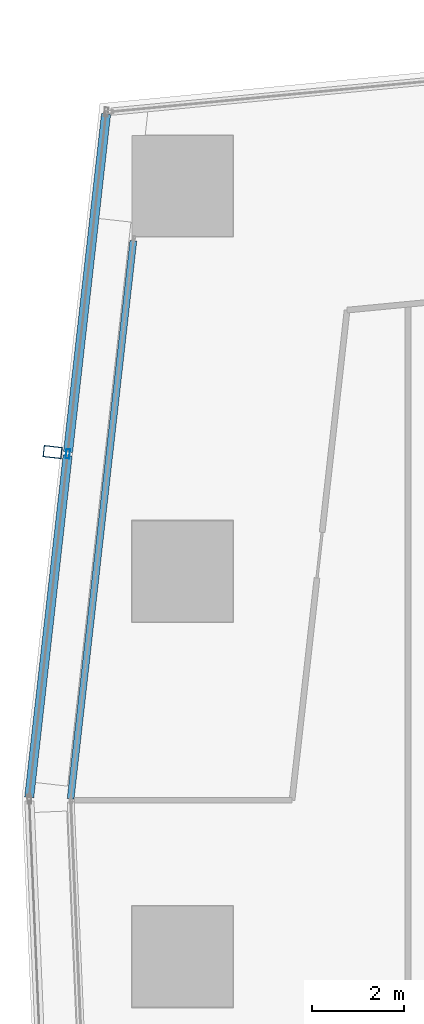
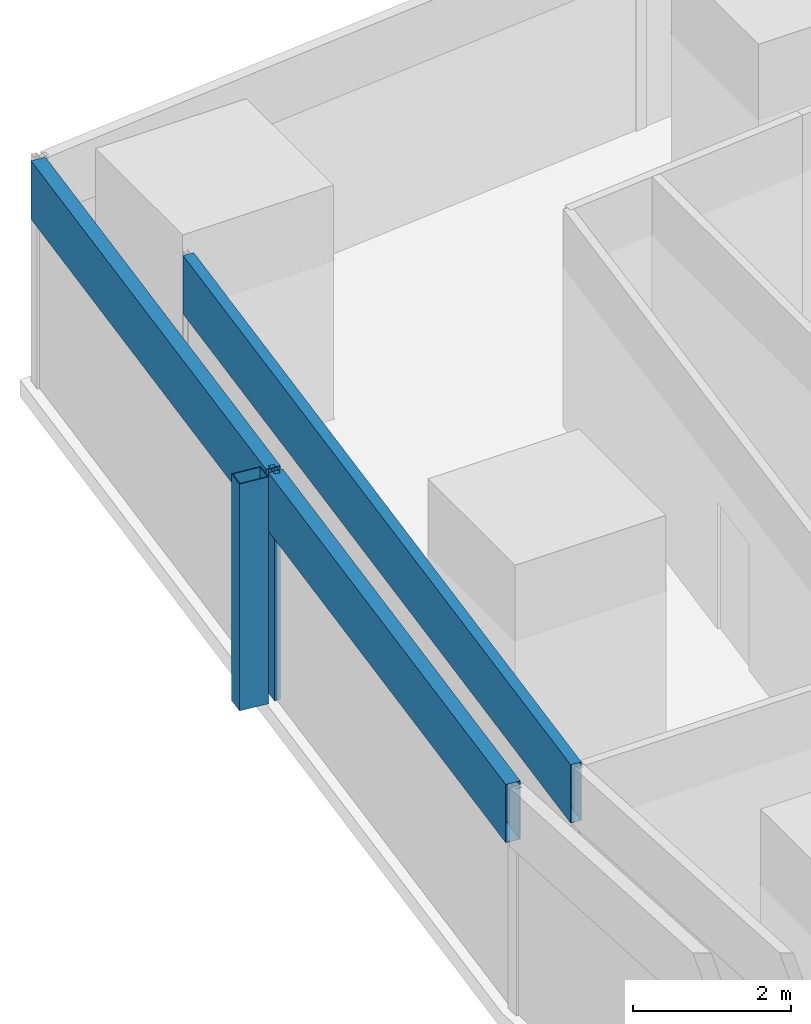
# One storey, part 15 of 44: 5 members, 2 elements without a shape of their own.
"""IFC4 building model written with IfcOpenShell, lengths in metres."""

from ifc_helpers import new_model, si_unit, direction, frame, origin, origin_2d, place, context, subcontext, project, spatial, hollow_rectangle, extrude, material, material_profile, profile_set, type_object, element, aggregate, save


model = new_model("IFC4")

# Units and contexts
model_context = context("Model", 3, precision=1e-05, world=origin(), true_north=direction((0.0, 1.0)))
body_context = subcontext(model_context, "Body", "Model", "MODEL_VIEW")
ifc_project = project(units=[si_unit("LENGTHUNIT", "METRE"), si_unit("AREAUNIT", "SQUARE_METRE"), si_unit("VOLUMEUNIT", "CUBIC_METRE"), si_unit("PLANEANGLEUNIT", "RADIAN"), si_unit("MASSUNIT", "GRAM", prefix="KILO")], contexts=[model_context])

# Site, building, storey
site_placement = place(None, origin())
site = spatial("IfcSite", under=ifc_project, at=site_placement, CompositionType="ELEMENT")
building_placement = place(site_placement, origin())
building = spatial("IfcBuilding", under=site, at=building_placement, Name="Rekha Terrace Tower", CompositionType="ELEMENT")
storey_placement = place(building_placement, frame((0.0, 0.0, 51.64990234375)))
storey = spatial("IfcBuildingStorey", under=building, at=storey_placement, Name="L12", CompositionType="ELEMENT", Elevation=51.64990234375)

# Curtain wall, member
ifc_material_1 = material(Name="Aluminium framing", Category="aluminium")
curtain_wall_type_1 = type_object("IfcCurtainWallType", Name="CW2 double skin outer glazing", PredefinedType="USERDEFINED", material=ifc_material_1)
curtain_wall_1_placement = place(storey_placement, origin())
curtain_wall_1 = element("IfcCurtainWall", 1, at=curtain_wall_1_placement, inside=storey, type_object=curtain_wall_type_1, Name="CW2 double skin outer glazing", ObjectType="DOUBLE SKIN OUTER GLAZING", PredefinedType="USERDEFINED")
ifc_material_2 = material(Name="Steel S355 with fluorocarbon finish", Category="steel")
ifc_material_profile_1 = material_profile(ifc_material_2, hollow_rectangle(XDim=0.25, YDim=0.39990234375, WallThickness=0.012451171875, at=origin_2d()), Name="RHS400x250x12.5")
ifc_profile_set_1 = profile_set([ifc_material_profile_1], Name="Steel S355 with fluorocarbon finish")
member_type_1 = type_object("IfcMemberType", Name="BL1 facade blade RHS 400 x 250", PredefinedType="USERDEFINED", material=ifc_profile_set_1)
member_1_placement = place(storey_placement, frame((5.569580078125, 53.001220703125, 0.0), z_axis=(0.0, 0.0, 1.0), x_axis=(-0.111729096216, -0.993738702607, 0.0)))
member_1 = element("IfcMember", 2, at=member_1_placement, type_object=member_type_1, Name="Facade blade", ObjectType="FACADE BLADE", PredefinedType="USERDEFINED", context=body_context, shape_type="SweptSolid", body=[
    extrude(hollow_rectangle(XDim=0.25, YDim=0.39990234375, WallThickness=0.012451171875, at=origin_2d()), origin(), (0.0, 0.0, 1.0), 3.5),
])

curtain_wall_type_2 = type_object("IfcCurtainWallType", Name="CW1 double skin inner glazing", PredefinedType="USERDEFINED", material=ifc_material_1)
curtain_wall_2_placement = place(storey_placement, origin())
curtain_wall_2 = element("IfcCurtainWall", 3, at=curtain_wall_2_placement, inside=storey, type_object=curtain_wall_type_2, Name="CW1 double skin inner glazing", ObjectType="DOUBLE SKIN INNER GLAZING", PredefinedType="USERDEFINED")
ifc_material_3 = material(Name="Insulated aluminium spandrel box", Category="aluminium")
ifc_material_profile_2 = material_profile(ifc_material_3, hollow_rectangle(XDim=0.14990234375, YDim=0.89990234375, WallThickness=0.0029296875, at=origin_2d()), Name="AL SPANDREL BOX 150x900")
ifc_profile_set_2 = profile_set([ifc_material_profile_2], Name="Insulated aluminium spandrel box")
member_type_2 = type_object("IfcMemberType", Name="CW1 spandrel transom 150 x 900", PredefinedType="USERDEFINED", material=ifc_profile_set_2)
member_2_placement = place(storey_placement, frame((7.33056640625, 57.611083984375, 3.050048828125), z_axis=(-0.111720442276, -0.993739675558, 0.0), x_axis=(0.993739675558, -0.111720442276, 0.0)))
member_2 = element("IfcMember", 4, at=member_2_placement, type_object=member_type_2, Name="CW1 spandrel transom 1", ObjectType="TRANSOM", PredefinedType="USERDEFINED", context=body_context, shape_type="SweptSolid", body=[
    extrude(hollow_rectangle(XDim=0.14990234375, YDim=0.89990234375, WallThickness=0.0029296875, at=origin_2d()), origin(), (0.0, 0.0, 1.0), 12.244140625),
])
aggregate(curtain_wall_2, [member_2])

# Member
ifc_material_4 = material(Name="Aluminium mullion section", Category="aluminium")
ifc_material_profile_3 = material_profile(ifc_material_4, hollow_rectangle(XDim=0.080078125, YDim=0.199951171875, WallThickness=0.00390625, at=origin_2d()), Name="AL RHS 80x200")
ifc_profile_set_3 = profile_set([ifc_material_profile_3], Name="Aluminium mullion section")
member_type_3 = type_object("IfcMemberType", Name="CW2 mullion RHS 80 x 200", PredefinedType="MULLION", material=ifc_profile_set_3)
member_3_placement = place(storey_placement, frame((5.90234375, 52.9638671875, 0.0), z_axis=(0.0, 0.0, 1.0), x_axis=(0.99373861552, -0.111729870782, 0.0)))
member_3 = element("IfcMember", 5, at=member_3_placement, type_object=member_type_3, Name="CW2 mullion 2", PredefinedType="MULLION", context=body_context, shape_type="SweptSolid", body=[
    extrude(hollow_rectangle(XDim=0.080078125, YDim=0.199951171875, WallThickness=0.00390625, at=origin_2d()), origin(), (0.0, 0.0, 1.0), 3.5),
])

ifc_material_profile_4 = material_profile(ifc_material_3, hollow_rectangle(XDim=0.199951171875, YDim=0.89990234375, WallThickness=0.0029296875, at=origin_2d()), Name="AL SPANDREL BOX 200x900")
ifc_profile_set_4 = profile_set([ifc_material_profile_4], Name="Insulated aluminium spandrel box")
member_type_4 = type_object("IfcMemberType", Name="CW2 spandrel transom 200 x 900", PredefinedType="USERDEFINED", material=ifc_profile_set_4)
member_4_placement = place(storey_placement, frame((6.735595703125, 60.37353515625, 3.050048828125), z_axis=(-0.111728537773, -0.993738765394, 0.0), x_axis=(0.993738765394, -0.111728537773, 0.0)))
member_4 = element("IfcMember", 6, at=member_4_placement, type_object=member_type_4, Name="CW2 spandrel transom 1", ObjectType="TRANSOM", PredefinedType="USERDEFINED", context=body_context, shape_type="SweptSolid", body=[
    extrude(hollow_rectangle(XDim=0.199951171875, YDim=0.89990234375, WallThickness=0.0029296875, at=origin_2d()), origin(), (0.0, 0.0, 1.0), 7.416259765625),
])

member_5_placement = place(storey_placement, frame((5.89794921875, 52.924072265625, 3.050048828125), z_axis=(-0.111739697795, -0.993737510582, 0.0), x_axis=(0.993737510582, -0.111739697795, 0.0)))
member_5 = element("IfcMember", 7, at=member_5_placement, type_object=member_type_4, Name="CW2 spandrel transom 2", ObjectType="TRANSOM", PredefinedType="USERDEFINED", context=body_context, shape_type="SweptSolid", body=[
    extrude(hollow_rectangle(XDim=0.199951171875, YDim=0.89990234375, WallThickness=0.0029296875, at=origin_2d()), origin(), (0.0, 0.0, 1.0), 7.496337890625),
])

aggregate(curtain_wall_1, [member_3, member_4, member_5, member_1])

save(model, "model.ifc")
